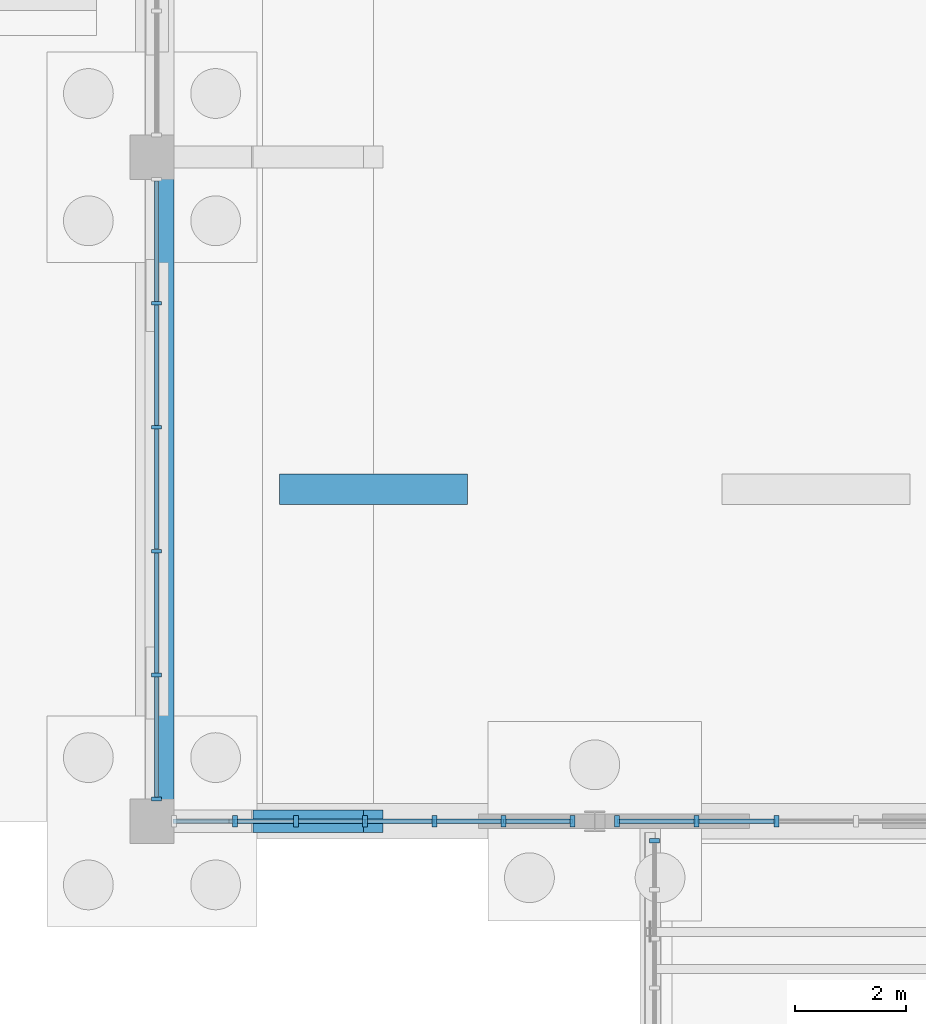
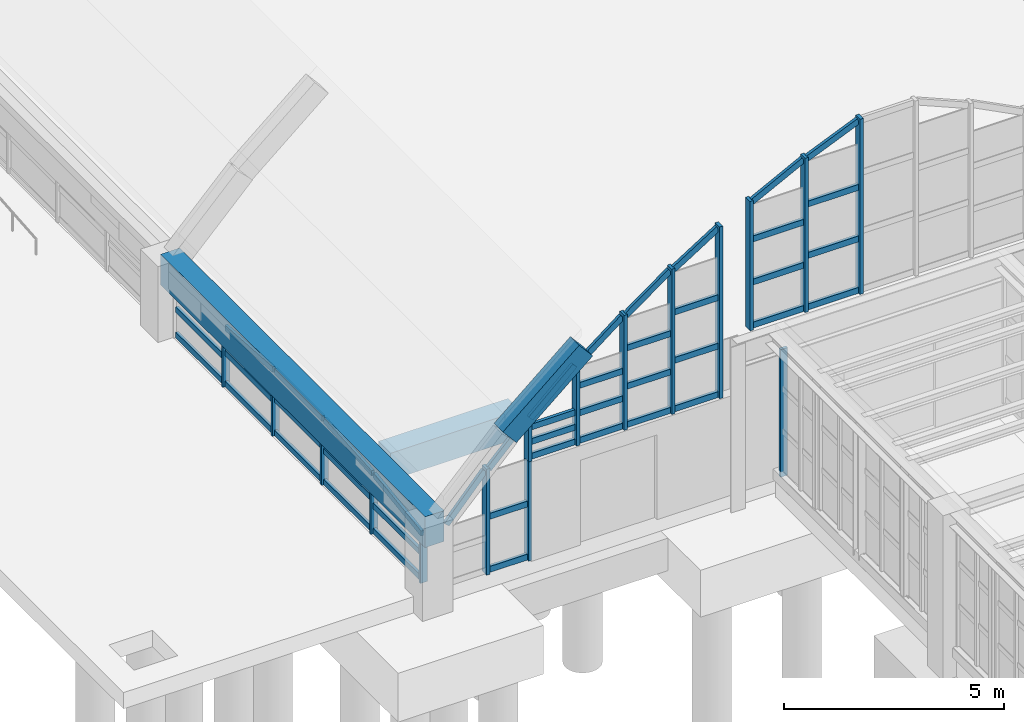
# One storey, part 34 of 129: 58 members, 3 beams, 5 elements without a shape of their own.
"""IFC4 building model written with IfcOpenShell, lengths in metres."""

from ifc_helpers import new_model, si_unit, direction, frame, origin, origin_2d, place, context, subcontext, project, spatial, rectangle, extrude, material, layer, layer_set, material_profile, profile_set, type_object, element, aggregate, save


model = new_model("IFC4")

# Units and contexts
model_context = context("Model", 3, precision=1e-05, world=origin(), true_north=direction((0.0, 1.0)))
body_context = subcontext(model_context, "Body", "Model", "MODEL_VIEW")
ifc_project = project(units=[si_unit("LENGTHUNIT", "METRE"), si_unit("AREAUNIT", "SQUARE_METRE"), si_unit("VOLUMEUNIT", "CUBIC_METRE"), si_unit("PLANEANGLEUNIT", "RADIAN"), si_unit("MASSUNIT", "GRAM", prefix="KILO")], contexts=[model_context])

# Site, building, storey
site_placement = place(None, origin())
site = spatial("IfcSite", under=ifc_project, at=site_placement, CompositionType="ELEMENT")
building_placement = place(site_placement, origin())
building = spatial("IfcBuilding", under=site, at=building_placement, Name="Sitalva Quay Ferry Terminal", CompositionType="ELEMENT")
storey_placement = place(building_placement, origin())
storey = spatial("IfcBuildingStorey", under=building, at=storey_placement, Name="L01", CompositionType="ELEMENT", Elevation=0.0)

# Beams
ifc_material_1 = material(Name="Concrete C40/50", Category="concrete")
ifc_material_profile_1 = material_profile(ifc_material_1, rectangle(XDim=0.39990234375, YDim=0.550048828125, at=origin_2d()), Name="RC400x550")
ifc_profile_set_1 = profile_set([ifc_material_profile_1], Name="Concrete C40/50")
beam_type_1 = type_object("IfcBeamType", Name="Beam_Arch_RC400x550", PredefinedType="BEAM", material=ifc_profile_set_1)
beam_1_placement = place(storey_placement, frame((10.0, 6.0, 3.689697265625), z_axis=(0.761351968138, 0.0, 0.648338785368), x_axis=(0.0, 1.0, 0.0)))
element("IfcBeam", 1, at=beam_1_placement, inside=storey, type_object=beam_type_1, Name="Vault V2 transverse arch rib 1.2", PredefinedType="BEAM", context=body_context, shape_type="SweptSolid", body=[
    extrude(rectangle(XDim=0.39990234375, YDim=0.550048828125, at=origin_2d()), origin(), (0.0, 0.0, 1.0), 2.626953125),
])
ifc_material_2 = material(Name="Concrete C40/50", Category="concrete")
ifc_material_profile_2 = material_profile(ifc_material_2, rectangle(XDim=0.5, YDim=0.85009765625, at=origin_2d()), Name="RC500x850")
ifc_profile_set_2 = profile_set([ifc_material_profile_2], Name="Concrete C40/50")
beam_type_2 = type_object("IfcBeamType", Name="Beam_Edge_RC500x850", PredefinedType="BEAM", material=ifc_profile_set_2)
beam_2_placement = place(storey_placement, frame((8.14990234375, 6.0, 1.675048828125), z_axis=(0.0, 1.0, 0.0), x_axis=(-1.0, 0.0, 0.0)))
element("IfcBeam", 2, at=beam_2_placement, inside=storey, type_object=beam_type_2, Name="Vault V2 longitudinal springing edge beam W bay 1", PredefinedType="BEAM", context=body_context, shape_type="SweptSolid", body=[
    extrude(rectangle(XDim=0.5, YDim=0.85009765625, at=origin_2d()), origin(), (0.0, 0.0, 1.0), 12.0),
])

# Curtain wall, members
ifc_material_3 = material(Name="Anodised Aluminium & Low-E Glazing", Category="aluminium")
ifc_layer_1 = layer(ifc_material_3, 0.159912109375)
ifc_layer_set_1 = layer_set([ifc_layer_1], Name="Anodised Aluminium & Low-E Glazing")
curtain_wall_type_1 = type_object("IfcCurtainWallType", Name="CW_VaultArch_Glazed", PredefinedType="USERDEFINED", material=ifc_layer_set_1)
curtain_wall_1_placement = place(storey_placement, origin())
curtain_wall_1 = element("IfcCurtainWall", 3, at=curtain_wall_1_placement, inside=storey, type_object=curtain_wall_type_1, Name="V2-W shallow-arch base glazing (CW-L01-012)", ObjectType="CURTAIN_WALL", PredefinedType="USERDEFINED")
ifc_material_4 = material(Name="Anodised Aluminium 6063-T6", Category="aluminium")
ifc_material_profile_3 = material_profile(ifc_material_4, rectangle(XDim=0.070068359375, YDim=0.181884765625, at=origin_2d()), Name="ALU70x182")
ifc_profile_set_3 = profile_set([ifc_material_profile_3], Name="Anodised Aluminium 6063-T6")
member_type_1 = type_object("IfcMemberType", Name="Mullion_Alu_65x170", PredefinedType="MULLION", material=ifc_profile_set_3)
member_1_placement = place(storey_placement, frame((8.080078125, 6.39990234375, 0.0), z_axis=(0.0, 0.0, 1.0), x_axis=(0.0, 1.0, 0.0)))
member_1 = element("IfcMember", 4, at=member_1_placement, type_object=member_type_1, Name="CW-L01-012-M0", PredefinedType="MULLION", context=body_context, shape_type="SweptSolid", body=[
    extrude(rectangle(XDim=0.070068359375, YDim=0.181884765625, at=origin_2d()), origin(), (0.0, 0.0, 1.0), 1.39990234375),
])
member_2_placement = place(storey_placement, frame((8.080078125, 8.639892578125, 0.0), z_axis=(0.0, 0.0, 1.0), x_axis=(0.0, 1.0, 0.0)))
member_2 = element("IfcMember", 5, at=member_2_placement, type_object=member_type_1, Name="CW-L01-012-M1", PredefinedType="MULLION", context=body_context, shape_type="SweptSolid", body=[
    extrude(rectangle(XDim=0.070068359375, YDim=0.181884765625, at=origin_2d()), origin(), (0.0, 0.0, 1.0), 1.707275390625),
])
member_3_placement = place(storey_placement, frame((8.080078125, 10.8798828125, 0.0), z_axis=(0.0, 0.0, 1.0), x_axis=(0.0, 1.0, 0.0)))
member_3 = element("IfcMember", 6, at=member_3_placement, type_object=member_type_1, Name="CW-L01-012-M2", PredefinedType="MULLION", context=body_context, shape_type="SweptSolid", body=[
    extrude(rectangle(XDim=0.070068359375, YDim=0.181884765625, at=origin_2d()), origin(), (0.0, 0.0, 1.0), 1.86083984375),
])
member_4_placement = place(storey_placement, frame((8.080078125, 13.1201171875, 0.0), z_axis=(0.0, 0.0, 1.0), x_axis=(0.0, 1.0, 0.0)))
member_4 = element("IfcMember", 7, at=member_4_placement, type_object=member_type_1, Name="CW-L01-012-M3", PredefinedType="MULLION", context=body_context, shape_type="SweptSolid", body=[
    extrude(rectangle(XDim=0.070068359375, YDim=0.181884765625, at=origin_2d()), origin(), (0.0, 0.0, 1.0), 1.86083984375),
])
member_5_placement = place(storey_placement, frame((8.080078125, 15.360107421875, 0.0), z_axis=(0.0, 0.0, 1.0), x_axis=(0.0, 1.0, 0.0)))
member_5 = element("IfcMember", 8, at=member_5_placement, type_object=member_type_1, Name="CW-L01-012-M4", PredefinedType="MULLION", context=body_context, shape_type="SweptSolid", body=[
    extrude(rectangle(XDim=0.070068359375, YDim=0.181884765625, at=origin_2d()), origin(), (0.0, 0.0, 1.0), 1.707275390625),
])

# Curtain wall, member
ifc_material_5 = material(Name="Anodised Aluminium & Low-E Glazing", Category="aluminium")
ifc_layer_2 = layer(ifc_material_5, 0.159912109375)
ifc_layer_set_2 = layer_set([ifc_layer_2], Name="Anodised Aluminium & Low-E Glazing")
curtain_wall_type_2 = type_object("IfcCurtainWallType", Name="CW_Bridge_Glazed", PredefinedType="USERDEFINED", material=ifc_layer_set_2)
curtain_wall_2_placement = place(storey_placement, origin())
curtain_wall_2 = element("IfcCurtainWall", 9, at=curtain_wall_2_placement, inside=storey, type_object=curtain_wall_type_2, Name="Boarding bridge BB1 W4 side glazing (CW-L01-036)", ObjectType="CURTAIN_WALL", PredefinedType="USERDEFINED")
ifc_material_6 = material(Name="Anodised Aluminium 6063-T6", Category="aluminium")
ifc_material_profile_4 = material_profile(ifc_material_6, rectangle(XDim=0.080078125, YDim=0.18505859375, at=origin_2d()), Name="ALU80x185")
ifc_profile_set_4 = profile_set([ifc_material_profile_4], Name="Anodised Aluminium 6063-T6")
member_type_2 = type_object("IfcMemberType", Name="Mullion_Alu_80x185", PredefinedType="MULLION", material=ifc_profile_set_4)
member_6_placement = place(storey_placement, frame((17.080078125, 5.64990234375, 0.25), z_axis=(0.0, 0.0, 1.0), x_axis=(0.0, 1.0, 0.0)))
member_6 = element("IfcMember", 10, at=member_6_placement, type_object=member_type_2, Name="CW-L01-036-M4", PredefinedType="MULLION", context=body_context, shape_type="SweptSolid", body=[
    extrude(rectangle(XDim=0.080078125, YDim=0.18505859375, at=origin_2d()), origin(), (0.0, 0.0, 1.0), 3.530029296875),
])
aggregate(curtain_wall_2, [member_6])

# Curtain wall, members
ifc_material_7 = material(Name="Anodised Aluminium & Low-E Glazing", Category="aluminium")
ifc_layer_3 = layer(ifc_material_7, 0.159912109375)
ifc_layer_set_3 = layer_set([ifc_layer_3], Name="Anodised Aluminium & Low-E Glazing")
curtain_wall_type_3 = type_object("IfcCurtainWallType", Name="CW_Gable_Unitised", PredefinedType="USERDEFINED", material=ifc_layer_set_3)
curtain_wall_3_placement = place(storey_placement, origin())
curtain_wall_3 = element("IfcCurtainWall", 11, at=curtain_wall_3_placement, inside=storey, type_object=curtain_wall_type_3, Name="V2 south gable west eaves glazing (CW-L01-001)", ObjectType="CURTAIN_WALL", PredefinedType="USERDEFINED")
ifc_material_8 = material(Name="Anodised Aluminium 6063-T6", Category="aluminium")
ifc_material_profile_5 = material_profile(ifc_material_8, rectangle(XDim=0.090087890625, YDim=0.199951171875, at=origin_2d()), Name="ALU90x200")
ifc_profile_set_5 = profile_set([ifc_material_profile_5], Name="Anodised Aluminium 6063-T6")
member_type_3 = type_object("IfcMemberType", Name="Mullion_Alu_90x200", PredefinedType="MULLION", material=ifc_profile_set_5)
member_7_placement = place(storey_placement, frame((9.5, 6.0, 0.0), z_axis=(0.0, 0.0, 1.0), x_axis=(1.0, 0.0, 0.0)))
member_7 = element("IfcMember", 12, at=member_7_placement, type_object=member_type_3, Name="CW-L01-001-M1", PredefinedType="MULLION", context=body_context, shape_type="SweptSolid", body=[
    extrude(rectangle(XDim=0.090087890625, YDim=0.199951171875, at=origin_2d()), origin(), (0.0, 0.0, 1.0), 2.93603515625),
])
member_8_placement = place(storey_placement, frame((10.60009765625, 6.0, 0.0), z_axis=(0.0, 0.0, 1.0), x_axis=(1.0, 0.0, 0.0)))
member_8 = element("IfcMember", 13, at=member_8_placement, type_object=member_type_3, Name="CW-L01-001-M2", PredefinedType="MULLION", context=body_context, shape_type="SweptSolid", body=[
    extrude(rectangle(XDim=0.090087890625, YDim=0.199951171875, at=origin_2d()), origin(), (0.0, 0.0, 1.0), 3.9658203125),
])

curtain_wall_4_placement = place(storey_placement, origin())
curtain_wall_4 = element("IfcCurtainWall", 14, at=curtain_wall_4_placement, inside=storey, type_object=curtain_wall_type_3, Name="V2 south gable west pointed glazing (CW-L01-002)", ObjectType="CURTAIN_WALL", PredefinedType="USERDEFINED")
member_9_placement = place(storey_placement, frame((10.60009765625, 6.0, 2.75), z_axis=(0.0, 0.0, 1.0), x_axis=(1.0, 0.0, 0.0)))
member_9 = element("IfcMember", 15, at=member_9_placement, type_object=member_type_3, Name="CW-L01-002-M0", PredefinedType="MULLION", context=body_context, shape_type="SweptSolid", body=[
    extrude(rectangle(XDim=0.090087890625, YDim=0.199951171875, at=origin_2d()), origin(), (0.0, 0.0, 1.0), 1.2158203125),
])
member_10_placement = place(storey_placement, frame((11.85009765625, 6.0, 2.75), z_axis=(0.0, 0.0, 1.0), x_axis=(1.0, 0.0, 0.0)))
member_10 = element("IfcMember", 16, at=member_10_placement, type_object=member_type_3, Name="CW-L01-002-M1", PredefinedType="MULLION", context=body_context, shape_type="SweptSolid", body=[
    extrude(rectangle(XDim=0.090087890625, YDim=0.199951171875, at=origin_2d()), origin(), (0.0, 0.0, 1.0), 2.280029296875),
])
member_11_placement = place(storey_placement, frame((13.10009765625, 6.0, 2.75), z_axis=(0.0, 0.0, 1.0), x_axis=(1.0, 0.0, 0.0)))
member_11 = element("IfcMember", 17, at=member_11_placement, type_object=member_type_3, Name="CW-L01-002-M2", PredefinedType="MULLION", context=body_context, shape_type="SweptSolid", body=[
    extrude(rectangle(XDim=0.090087890625, YDim=0.199951171875, at=origin_2d()), origin(), (0.0, 0.0, 1.0), 3.184326171875),
])
member_12_placement = place(storey_placement, frame((14.35009765625, 6.0, 2.75), z_axis=(0.0, 0.0, 1.0), x_axis=(1.0, 0.0, 0.0)))
member_12 = element("IfcMember", 18, at=member_12_placement, type_object=member_type_3, Name="CW-L01-002-M3", PredefinedType="MULLION", context=body_context, shape_type="SweptSolid", body=[
    extrude(rectangle(XDim=0.090087890625, YDim=0.199951171875, at=origin_2d()), origin(), (0.0, 0.0, 1.0), 4.024658203125),
])
member_13_placement = place(storey_placement, frame((15.60009765625, 6.0, 2.75), z_axis=(0.0, 0.0, 1.0), x_axis=(1.0, 0.0, 0.0)))
member_13 = element("IfcMember", 19, at=member_13_placement, type_object=member_type_3, Name="CW-L01-002-M4", PredefinedType="MULLION", context=body_context, shape_type="SweptSolid", body=[
    extrude(rectangle(XDim=0.090087890625, YDim=0.199951171875, at=origin_2d()), origin(), (0.0, 0.0, 1.0), 4.75634765625),
])

curtain_wall_5_placement = place(storey_placement, origin())
curtain_wall_5 = element("IfcCurtainWall", 20, at=curtain_wall_5_placement, inside=storey, type_object=curtain_wall_type_3, Name="V2 south gable apex glazing (CW-L01-003)", ObjectType="CURTAIN_WALL", PredefinedType="USERDEFINED")
member_14_placement = place(storey_placement, frame((16.39990234375, 6.0, 4.35009765625), z_axis=(0.0, 0.0, 1.0), x_axis=(1.0, 0.0, 0.0)))
member_14 = element("IfcMember", 21, at=member_14_placement, type_object=member_type_3, Name="CW-L01-003-M0", PredefinedType="MULLION", context=body_context, shape_type="SweptSolid", body=[
    extrude(rectangle(XDim=0.090087890625, YDim=0.199951171875, at=origin_2d()), origin(), (0.0, 0.0, 1.0), 3.582763671875),
])
member_15_placement = place(storey_placement, frame((17.840087890625, 6.0, 4.35009765625), z_axis=(0.0, 0.0, 1.0), x_axis=(1.0, 0.0, 0.0)))
member_15 = element("IfcMember", 22, at=member_15_placement, type_object=member_type_3, Name="CW-L01-003-M1", PredefinedType="MULLION", context=body_context, shape_type="SweptSolid", body=[
    extrude(rectangle(XDim=0.090087890625, YDim=0.199951171875, at=origin_2d()), origin(), (0.0, 0.0, 1.0), 4.27587890625),
])
member_16_placement = place(storey_placement, frame((19.280029296875, 6.0, 4.35009765625), z_axis=(0.0, 0.0, 1.0), x_axis=(1.0, 0.0, 0.0)))
member_16 = element("IfcMember", 23, at=member_16_placement, type_object=member_type_3, Name="CW-L01-003-M2", PredefinedType="MULLION", context=body_context, shape_type="SweptSolid", body=[
    extrude(rectangle(XDim=0.090087890625, YDim=0.199951171875, at=origin_2d()), origin(), (0.0, 0.0, 1.0), 4.85009765625),
])

# Beam
ifc_material_9 = material(Name="Concrete C35/45", Category="concrete")
ifc_material_profile_6 = material_profile(ifc_material_9, rectangle(XDim=0.550048828125, YDim=0.75, at=origin_2d()), Name="RC550x750")
ifc_profile_set_6 = profile_set([ifc_material_profile_6], Name="Concrete C35/45")
beam_type_3 = type_object("IfcBeamType", Name="TBeam_Quay_RC550x750", PredefinedType="T_BEAM", material=ifc_profile_set_6)
beam_3_placement = place(storey_placement, frame((10.300048828125, 12.0, -0.824951171875), z_axis=(1.0, 0.0, 0.0), x_axis=(0.0, 1.0, 0.0)))
element("IfcBeam", 24, at=beam_3_placement, inside=storey, type_object=beam_type_3, Name="L01 Quay deck mid-bay T-beam 0035", PredefinedType="T_BEAM", context=body_context, shape_type="SweptSolid", body=[
    extrude(rectangle(XDim=0.550048828125, YDim=0.75, at=origin_2d()), origin(), (0.0, 0.0, 1.0), 3.39990234375),
])

# Member
ifc_material_10 = material(Name="Anodised Aluminium 6063-T6", Category="aluminium")
ifc_material_profile_7 = material_profile(ifc_material_10, rectangle(XDim=0.074951171875, YDim=0.155029296875, at=origin_2d()), Name="ALU75x155")
ifc_profile_set_7 = profile_set([ifc_material_profile_7], Name="Anodised Aluminium 6063-T6")
member_type_4 = type_object("IfcMemberType", Name="Transom_Alu_70x135", PredefinedType="MULLION", material=ifc_profile_set_7)
member_17_placement = place(storey_placement, frame((8.080078125, 6.43505859375, 0.077392578125), z_axis=(0.0, 1.0, 0.0), x_axis=(-1.0, 0.0, 0.0)))
member_17 = element("IfcMember", 25, at=member_17_placement, type_object=member_type_4, Name="CW-L01-012-T0-0", ObjectType="TRANSOM", PredefinedType="USERDEFINED", context=body_context, shape_type="SweptSolid", body=[
    extrude(rectangle(XDim=0.074951171875, YDim=0.155029296875, at=origin_2d()), origin(), (0.0, 0.0, 1.0), 2.169921875),
])

member_18_placement = place(storey_placement, frame((8.080078125, 6.43505859375, 0.777587890625), z_axis=(0.0, 1.0, 0.0), x_axis=(-1.0, 0.0, 0.0)))
member_18 = element("IfcMember", 26, at=member_18_placement, type_object=member_type_4, Name="CW-L01-012-T0-1", ObjectType="TRANSOM", PredefinedType="USERDEFINED", context=body_context, shape_type="SweptSolid", body=[
    extrude(rectangle(XDim=0.074951171875, YDim=0.155029296875, at=origin_2d()), origin(), (0.0, 0.0, 1.0), 2.169921875),
])

member_19_placement = place(storey_placement, frame((8.080078125, 6.43505859375, 1.322509765625), z_axis=(0.0, 0.990131365095, 0.140142355681), x_axis=(-1.0, 0.0, 0.0)))
member_19 = element("IfcMember", 27, at=member_19_placement, type_object=member_type_4, Name="CW-L01-012-T0-2", ObjectType="TRANSOM", PredefinedType="USERDEFINED", context=body_context, shape_type="SweptSolid", body=[
    extrude(rectangle(XDim=0.074951171875, YDim=0.155029296875, at=origin_2d()), origin(), (0.0, 0.0, 1.0), 2.191650390625),
])

member_20_placement = place(storey_placement, frame((8.080078125, 8.675048828125, 0.077392578125), z_axis=(0.0, 1.0, 0.0), x_axis=(-1.0, 0.0, 0.0)))
member_20 = element("IfcMember", 28, at=member_20_placement, type_object=member_type_4, Name="CW-L01-012-T1-0", ObjectType="TRANSOM", PredefinedType="USERDEFINED", context=body_context, shape_type="SweptSolid", body=[
    extrude(rectangle(XDim=0.074951171875, YDim=0.155029296875, at=origin_2d()), origin(), (0.0, 0.0, 1.0), 2.169921875),
])

member_21_placement = place(storey_placement, frame((8.080078125, 8.675048828125, 0.93115234375), z_axis=(0.0, 1.0, 0.0), x_axis=(-1.0, 0.0, 0.0)))
member_21 = element("IfcMember", 29, at=member_21_placement, type_object=member_type_4, Name="CW-L01-012-T1-1", ObjectType="TRANSOM", PredefinedType="USERDEFINED", context=body_context, shape_type="SweptSolid", body=[
    extrude(rectangle(XDim=0.074951171875, YDim=0.155029296875, at=origin_2d()), origin(), (0.0, 0.0, 1.0), 2.169921875),
])

member_22_placement = place(storey_placement, frame((8.080078125, 8.675048828125, 1.629638671875), z_axis=(0.0, 0.997505200677, 0.070593021065), x_axis=(-1.0, 0.0, 0.0)))
member_22 = element("IfcMember", 30, at=member_22_placement, type_object=member_type_4, Name="CW-L01-012-T1-2", ObjectType="TRANSOM", PredefinedType="USERDEFINED", context=body_context, shape_type="SweptSolid", body=[
    extrude(rectangle(XDim=0.074951171875, YDim=0.155029296875, at=origin_2d()), origin(), (0.0, 0.0, 1.0), 2.17529296875),
])

member_23_placement = place(storey_placement, frame((8.080078125, 10.9150390625, 0.077392578125), z_axis=(0.0, 1.0, 0.0), x_axis=(-1.0, 0.0, 0.0)))
member_23 = element("IfcMember", 31, at=member_23_placement, type_object=member_type_4, Name="CW-L01-012-T2-0", ObjectType="TRANSOM", PredefinedType="USERDEFINED", context=body_context, shape_type="SweptSolid", body=[
    extrude(rectangle(XDim=0.074951171875, YDim=0.155029296875, at=origin_2d()), origin(), (0.0, 0.0, 1.0), 2.169921875),
])

member_24_placement = place(storey_placement, frame((8.080078125, 10.9150390625, 1.0078125), z_axis=(0.0, 1.0, 0.0), x_axis=(-1.0, 0.0, 0.0)))
member_24 = element("IfcMember", 32, at=member_24_placement, type_object=member_type_4, Name="CW-L01-012-T2-1", ObjectType="TRANSOM", PredefinedType="USERDEFINED", context=body_context, shape_type="SweptSolid", body=[
    extrude(rectangle(XDim=0.074951171875, YDim=0.155029296875, at=origin_2d()), origin(), (0.0, 0.0, 1.0), 2.169921875),
])

member_25_placement = place(storey_placement, frame((8.080078125, 10.9150390625, 1.783203125), z_axis=(0.0, 1.0, 0.0), x_axis=(-1.0, 0.0, 0.0)))
member_25 = element("IfcMember", 33, at=member_25_placement, type_object=member_type_4, Name="CW-L01-012-T2-2", ObjectType="TRANSOM", PredefinedType="USERDEFINED", context=body_context, shape_type="SweptSolid", body=[
    extrude(rectangle(XDim=0.074951171875, YDim=0.155029296875, at=origin_2d()), origin(), (0.0, 0.0, 1.0), 2.169921875),
])

member_26_placement = place(storey_placement, frame((8.080078125, 13.155029296875, 0.077392578125), z_axis=(0.0, 1.0, 0.0), x_axis=(-1.0, 0.0, 0.0)))
member_26 = element("IfcMember", 34, at=member_26_placement, type_object=member_type_4, Name="CW-L01-012-T3-0", ObjectType="TRANSOM", PredefinedType="USERDEFINED", context=body_context, shape_type="SweptSolid", body=[
    extrude(rectangle(XDim=0.074951171875, YDim=0.155029296875, at=origin_2d()), origin(), (0.0, 0.0, 1.0), 2.169921875),
])

member_27_placement = place(storey_placement, frame((8.080078125, 13.155029296875, 0.93115234375), z_axis=(0.0, 1.0, 0.0), x_axis=(-1.0, 0.0, 0.0)))
member_27 = element("IfcMember", 35, at=member_27_placement, type_object=member_type_4, Name="CW-L01-012-T3-1", ObjectType="TRANSOM", PredefinedType="USERDEFINED", context=body_context, shape_type="SweptSolid", body=[
    extrude(rectangle(XDim=0.074951171875, YDim=0.155029296875, at=origin_2d()), origin(), (0.0, 0.0, 1.0), 2.169921875),
])

member_28_placement = place(storey_placement, frame((8.080078125, 13.155029296875, 1.783203125), z_axis=(0.0, 0.997505200677, -0.070593021065), x_axis=(-1.0, 0.0, 0.0)))
member_28 = element("IfcMember", 36, at=member_28_placement, type_object=member_type_4, Name="CW-L01-012-T3-2", ObjectType="TRANSOM", PredefinedType="USERDEFINED", context=body_context, shape_type="SweptSolid", body=[
    extrude(rectangle(XDim=0.074951171875, YDim=0.155029296875, at=origin_2d()), origin(), (0.0, 0.0, 1.0), 2.17529296875),
])

member_29_placement = place(storey_placement, frame((8.080078125, 15.39501953125, 0.077392578125), z_axis=(0.0, 1.0, 0.0), x_axis=(-1.0, 0.0, 0.0)))
member_29 = element("IfcMember", 37, at=member_29_placement, type_object=member_type_4, Name="CW-L01-012-T4-0", ObjectType="TRANSOM", PredefinedType="USERDEFINED", context=body_context, shape_type="SweptSolid", body=[
    extrude(rectangle(XDim=0.074951171875, YDim=0.155029296875, at=origin_2d()), origin(), (0.0, 0.0, 1.0), 2.169921875),
])

member_30_placement = place(storey_placement, frame((8.080078125, 15.39501953125, 0.777587890625), z_axis=(0.0, 1.0, 0.0), x_axis=(-1.0, 0.0, 0.0)))
member_30 = element("IfcMember", 38, at=member_30_placement, type_object=member_type_4, Name="CW-L01-012-T4-1", ObjectType="TRANSOM", PredefinedType="USERDEFINED", context=body_context, shape_type="SweptSolid", body=[
    extrude(rectangle(XDim=0.074951171875, YDim=0.155029296875, at=origin_2d()), origin(), (0.0, 0.0, 1.0), 2.169921875),
])

aggregate(curtain_wall_1, [member_1, member_2, member_3, member_4, member_5, member_17, member_18, member_19, member_20, member_21, member_22, member_23, member_24, member_25, member_26, member_27, member_28, member_29, member_30])

ifc_material_11 = material(Name="Anodised Aluminium 6063-T6", Category="aluminium")
ifc_material_profile_8 = material_profile(ifc_material_11, rectangle(XDim=0.080078125, YDim=0.1650390625, at=origin_2d()), Name="ALU80x165")
ifc_profile_set_8 = profile_set([ifc_material_profile_8], Name="Anodised Aluminium 6063-T6")
member_type_5 = type_object("IfcMemberType", Name="Transom_Alu_80x165", PredefinedType="MULLION", material=ifc_profile_set_8)
member_31_placement = place(storey_placement, frame((8.445068359375, 6.0, 1.71240234375), z_axis=(0.662701757845, 0.0, 0.748883422269), x_axis=(0.0, 1.0, 0.0)))
member_31 = element("IfcMember", 39, at=member_31_placement, type_object=member_type_5, Name="CW-L01-001-T0-2", ObjectType="TRANSOM", PredefinedType="USERDEFINED", context=body_context, shape_type="SweptSolid", body=[
    extrude(rectangle(XDim=0.080078125, YDim=0.1650390625, at=origin_2d()), origin(), (0.0, 0.0, 1.0), 1.524169921875),
])

member_32_placement = place(storey_placement, frame((9.544921875, 6.0, 0.08251953125), z_axis=(1.0, 0.0, 0.0), x_axis=(0.0, 1.0, 0.0)))
member_32 = element("IfcMember", 40, at=member_32_placement, type_object=member_type_5, Name="CW-L01-001-T1-0", ObjectType="TRANSOM", PredefinedType="USERDEFINED", context=body_context, shape_type="SweptSolid", body=[
    extrude(rectangle(XDim=0.080078125, YDim=0.1650390625, at=origin_2d()), origin(), (0.0, 0.0, 1.0), 1.010009765625),
])

member_33_placement = place(storey_placement, frame((9.544921875, 6.0, 1.550537109375), z_axis=(1.0, 0.0, 0.0), x_axis=(0.0, 1.0, 0.0)))
member_33 = element("IfcMember", 41, at=member_33_placement, type_object=member_type_5, Name="CW-L01-001-T1-1", ObjectType="TRANSOM", PredefinedType="USERDEFINED", context=body_context, shape_type="SweptSolid", body=[
    extrude(rectangle(XDim=0.080078125, YDim=0.1650390625, at=origin_2d()), origin(), (0.0, 0.0, 1.0), 1.010009765625),
])

member_34_placement = place(storey_placement, frame((9.544921875, 6.0, 2.853759765625), z_axis=(0.700303239467, 0.0, 0.713845482435), x_axis=(0.0, 1.0, 0.0)))
member_34 = element("IfcMember", 42, at=member_34_placement, type_object=member_type_5, Name="CW-L01-001-T1-2", ObjectType="TRANSOM", PredefinedType="USERDEFINED", context=body_context, shape_type="SweptSolid", body=[
    extrude(rectangle(XDim=0.080078125, YDim=0.1650390625, at=origin_2d()), origin(), (0.0, 0.0, 1.0), 1.442138671875),
])

aggregate(curtain_wall_3, [member_7, member_8, member_31, member_32, member_33, member_34])

member_35_placement = place(storey_placement, frame((10.64501953125, 6.0, 2.83251953125), z_axis=(1.0, 0.0, 0.0), x_axis=(0.0, 1.0, 0.0)))
member_35 = element("IfcMember", 43, at=member_35_placement, type_object=member_type_5, Name="CW-L01-002-T0-0", ObjectType="TRANSOM", PredefinedType="USERDEFINED", context=body_context, shape_type="SweptSolid", body=[
    extrude(rectangle(XDim=0.080078125, YDim=0.1650390625, at=origin_2d()), origin(), (0.0, 0.0, 1.0), 1.159912109375),
])

member_36_placement = place(storey_placement, frame((10.64501953125, 6.0, 3.23779296875), z_axis=(1.0, 0.0, 0.0), x_axis=(0.0, 1.0, 0.0)))
member_36 = element("IfcMember", 44, at=member_36_placement, type_object=member_type_5, Name="CW-L01-002-T0-1", ObjectType="TRANSOM", PredefinedType="USERDEFINED", context=body_context, shape_type="SweptSolid", body=[
    extrude(rectangle(XDim=0.080078125, YDim=0.1650390625, at=origin_2d()), origin(), (0.0, 0.0, 1.0), 1.159912109375),
])

member_37_placement = place(storey_placement, frame((10.64501953125, 6.0, 3.64306640625), z_axis=(1.0, 0.0, 0.0), x_axis=(0.0, 1.0, 0.0)))
member_37 = element("IfcMember", 45, at=member_37_placement, type_object=member_type_5, Name="CW-L01-002-T0-2", ObjectType="TRANSOM", PredefinedType="USERDEFINED", context=body_context, shape_type="SweptSolid", body=[
    extrude(rectangle(XDim=0.080078125, YDim=0.1650390625, at=origin_2d()), origin(), (0.0, 0.0, 1.0), 1.159912109375),
])

member_38_placement = place(storey_placement, frame((10.64501953125, 6.0, 3.88330078125), z_axis=(0.736851486726, 0.0, 0.676054647577), x_axis=(0.0, 1.0, 0.0)))
member_38 = element("IfcMember", 46, at=member_38_placement, type_object=member_type_5, Name="CW-L01-002-T0-3", ObjectType="TRANSOM", PredefinedType="USERDEFINED", context=body_context, shape_type="SweptSolid", body=[
    extrude(rectangle(XDim=0.080078125, YDim=0.1650390625, at=origin_2d()), origin(), (0.0, 0.0, 1.0), 1.57421875),
])

member_39_placement = place(storey_placement, frame((11.89501953125, 6.0, 2.83251953125), z_axis=(1.0, 0.0, 0.0), x_axis=(0.0, 1.0, 0.0)))
member_39 = element("IfcMember", 47, at=member_39_placement, type_object=member_type_5, Name="CW-L01-002-T1-0", ObjectType="TRANSOM", PredefinedType="USERDEFINED", context=body_context, shape_type="SweptSolid", body=[
    extrude(rectangle(XDim=0.080078125, YDim=0.1650390625, at=origin_2d()), origin(), (0.0, 0.0, 1.0), 1.159912109375),
])

member_40_placement = place(storey_placement, frame((11.89501953125, 6.0, 3.592529296875), z_axis=(1.0, 0.0, 0.0), x_axis=(0.0, 1.0, 0.0)))
member_40 = element("IfcMember", 48, at=member_40_placement, type_object=member_type_5, Name="CW-L01-002-T1-1", ObjectType="TRANSOM", PredefinedType="USERDEFINED", context=body_context, shape_type="SweptSolid", body=[
    extrude(rectangle(XDim=0.080078125, YDim=0.1650390625, at=origin_2d()), origin(), (0.0, 0.0, 1.0), 1.159912109375),
])

member_41_placement = place(storey_placement, frame((11.89501953125, 6.0, 4.3525390625), z_axis=(1.0, 0.0, 0.0), x_axis=(0.0, 1.0, 0.0)))
member_41 = element("IfcMember", 49, at=member_41_placement, type_object=member_type_5, Name="CW-L01-002-T1-2", ObjectType="TRANSOM", PredefinedType="USERDEFINED", context=body_context, shape_type="SweptSolid", body=[
    extrude(rectangle(XDim=0.080078125, YDim=0.1650390625, at=origin_2d()), origin(), (0.0, 0.0, 1.0), 1.159912109375),
])

member_42_placement = place(storey_placement, frame((11.89501953125, 6.0, 4.947509765625), z_axis=(0.788645575112, 0.0, 0.61484807624), x_axis=(0.0, 1.0, 0.0)))
member_42 = element("IfcMember", 50, at=member_42_placement, type_object=member_type_5, Name="CW-L01-002-T1-3", ObjectType="TRANSOM", PredefinedType="USERDEFINED", context=body_context, shape_type="SweptSolid", body=[
    extrude(rectangle(XDim=0.080078125, YDim=0.1650390625, at=origin_2d()), origin(), (0.0, 0.0, 1.0), 1.470703125),
])

member_43_placement = place(storey_placement, frame((13.14501953125, 6.0, 2.83251953125), z_axis=(1.0, 0.0, 0.0), x_axis=(0.0, 1.0, 0.0)))
member_43 = element("IfcMember", 51, at=member_43_placement, type_object=member_type_5, Name="CW-L01-002-T2-0", ObjectType="TRANSOM", PredefinedType="USERDEFINED", context=body_context, shape_type="SweptSolid", body=[
    extrude(rectangle(XDim=0.080078125, YDim=0.1650390625, at=origin_2d()), origin(), (0.0, 0.0, 1.0), 1.159912109375),
])

member_44_placement = place(storey_placement, frame((13.14501953125, 6.0, 3.89404296875), z_axis=(1.0, 0.0, 0.0), x_axis=(0.0, 1.0, 0.0)))
member_44 = element("IfcMember", 52, at=member_44_placement, type_object=member_type_5, Name="CW-L01-002-T2-1", ObjectType="TRANSOM", PredefinedType="USERDEFINED", context=body_context, shape_type="SweptSolid", body=[
    extrude(rectangle(XDim=0.080078125, YDim=0.1650390625, at=origin_2d()), origin(), (0.0, 0.0, 1.0), 1.159912109375),
])

member_45_placement = place(storey_placement, frame((13.14501953125, 6.0, 4.955322265625), z_axis=(1.0, 0.0, 0.0), x_axis=(0.0, 1.0, 0.0)))
member_45 = element("IfcMember", 53, at=member_45_placement, type_object=member_type_5, Name="CW-L01-002-T2-2", ObjectType="TRANSOM", PredefinedType="USERDEFINED", context=body_context, shape_type="SweptSolid", body=[
    extrude(rectangle(XDim=0.080078125, YDim=0.1650390625, at=origin_2d()), origin(), (0.0, 0.0, 1.0), 1.159912109375),
])

member_46_placement = place(storey_placement, frame((13.14501953125, 6.0, 5.851806640625), z_axis=(0.80981087291, 0.0, 0.586691017587), x_axis=(0.0, 1.0, 0.0)))
member_46 = element("IfcMember", 54, at=member_46_placement, type_object=member_type_5, Name="CW-L01-002-T2-3", ObjectType="TRANSOM", PredefinedType="USERDEFINED", context=body_context, shape_type="SweptSolid", body=[
    extrude(rectangle(XDim=0.080078125, YDim=0.1650390625, at=origin_2d()), origin(), (0.0, 0.0, 1.0), 1.432373046875),
])

member_47_placement = place(storey_placement, frame((14.39501953125, 6.0, 2.83251953125), z_axis=(1.0, 0.0, 0.0), x_axis=(0.0, 1.0, 0.0)))
member_47 = element("IfcMember", 55, at=member_47_placement, type_object=member_type_5, Name="CW-L01-002-T3-0", ObjectType="TRANSOM", PredefinedType="USERDEFINED", context=body_context, shape_type="SweptSolid", body=[
    extrude(rectangle(XDim=0.080078125, YDim=0.1650390625, at=origin_2d()), origin(), (0.0, 0.0, 1.0), 1.159912109375),
])

member_48_placement = place(storey_placement, frame((14.39501953125, 6.0, 4.174072265625), z_axis=(1.0, 0.0, 0.0), x_axis=(0.0, 1.0, 0.0)))
member_48 = element("IfcMember", 56, at=member_48_placement, type_object=member_type_5, Name="CW-L01-002-T3-1", ObjectType="TRANSOM", PredefinedType="USERDEFINED", context=body_context, shape_type="SweptSolid", body=[
    extrude(rectangle(XDim=0.080078125, YDim=0.1650390625, at=origin_2d()), origin(), (0.0, 0.0, 1.0), 1.159912109375),
])

member_49_placement = place(storey_placement, frame((14.39501953125, 6.0, 5.515625), z_axis=(1.0, 0.0, 0.0), x_axis=(0.0, 1.0, 0.0)))
member_49 = element("IfcMember", 57, at=member_49_placement, type_object=member_type_5, Name="CW-L01-002-T3-2", ObjectType="TRANSOM", PredefinedType="USERDEFINED", context=body_context, shape_type="SweptSolid", body=[
    extrude(rectangle(XDim=0.080078125, YDim=0.1650390625, at=origin_2d()), origin(), (0.0, 0.0, 1.0), 1.159912109375),
])

member_50_placement = place(storey_placement, frame((14.39501953125, 6.0, 6.692138671875), z_axis=(0.845780661657, 0.0, 0.533530760469), x_axis=(0.0, 1.0, 0.0)))
member_50 = element("IfcMember", 58, at=member_50_placement, type_object=member_type_5, Name="CW-L01-002-T3-3", ObjectType="TRANSOM", PredefinedType="USERDEFINED", context=body_context, shape_type="SweptSolid", body=[
    extrude(rectangle(XDim=0.080078125, YDim=0.1650390625, at=origin_2d()), origin(), (0.0, 0.0, 1.0), 1.371337890625),
])

aggregate(curtain_wall_4, [member_9, member_10, member_11, member_12, member_13, member_35, member_36, member_37, member_38, member_39, member_40, member_41, member_42, member_43, member_44, member_45, member_46, member_47, member_48, member_49, member_50])

member_51_placement = place(storey_placement, frame((16.445068359375, 6.0, 4.4326171875), z_axis=(1.0, 0.0, 0.0), x_axis=(0.0, 1.0, 0.0)))
member_51 = element("IfcMember", 59, at=member_51_placement, type_object=member_type_5, Name="CW-L01-003-T0-0", ObjectType="TRANSOM", PredefinedType="USERDEFINED", context=body_context, shape_type="SweptSolid", body=[
    extrude(rectangle(XDim=0.080078125, YDim=0.1650390625, at=origin_2d()), origin(), (0.0, 0.0, 1.0), 1.349853515625),
])

member_52_placement = place(storey_placement, frame((16.445068359375, 6.0, 5.626708984375), z_axis=(1.0, 0.0, 0.0), x_axis=(0.0, 1.0, 0.0)))
member_52 = element("IfcMember", 60, at=member_52_placement, type_object=member_type_5, Name="CW-L01-003-T0-1", ObjectType="TRANSOM", PredefinedType="USERDEFINED", context=body_context, shape_type="SweptSolid", body=[
    extrude(rectangle(XDim=0.080078125, YDim=0.1650390625, at=origin_2d()), origin(), (0.0, 0.0, 1.0), 1.349853515625),
])

member_53_placement = place(storey_placement, frame((16.445068359375, 6.0, 6.821044921875), z_axis=(1.0, 0.0, 0.0), x_axis=(0.0, 1.0, 0.0)))
member_53 = element("IfcMember", 61, at=member_53_placement, type_object=member_type_5, Name="CW-L01-003-T0-2", ObjectType="TRANSOM", PredefinedType="USERDEFINED", context=body_context, shape_type="SweptSolid", body=[
    extrude(rectangle(XDim=0.080078125, YDim=0.1650390625, at=origin_2d()), origin(), (0.0, 0.0, 1.0), 1.349853515625),
])

member_54_placement = place(storey_placement, frame((16.445068359375, 6.0, 7.850341796875), z_axis=(0.889581154041, 0.0, 0.456777156144), x_axis=(0.0, 1.0, 0.0)))
member_54 = element("IfcMember", 62, at=member_54_placement, type_object=member_type_5, Name="CW-L01-003-T0-3", ObjectType="TRANSOM", PredefinedType="USERDEFINED", context=body_context, shape_type="SweptSolid", body=[
    extrude(rectangle(XDim=0.080078125, YDim=0.1650390625, at=origin_2d()), origin(), (0.0, 0.0, 1.0), 1.517333984375),
])

member_55_placement = place(storey_placement, frame((17.885009765625, 6.0, 4.4326171875), z_axis=(1.0, 0.0, 0.0), x_axis=(0.0, 1.0, 0.0)))
member_55 = element("IfcMember", 63, at=member_55_placement, type_object=member_type_5, Name="CW-L01-003-T1-0", ObjectType="TRANSOM", PredefinedType="USERDEFINED", context=body_context, shape_type="SweptSolid", body=[
    extrude(rectangle(XDim=0.080078125, YDim=0.1650390625, at=origin_2d()), origin(), (0.0, 0.0, 1.0), 1.35009765625),
])

member_56_placement = place(storey_placement, frame((17.885009765625, 6.0, 5.85791015625), z_axis=(1.0, 0.0, 0.0), x_axis=(0.0, 1.0, 0.0)))
member_56 = element("IfcMember", 64, at=member_56_placement, type_object=member_type_5, Name="CW-L01-003-T1-1", ObjectType="TRANSOM", PredefinedType="USERDEFINED", context=body_context, shape_type="SweptSolid", body=[
    extrude(rectangle(XDim=0.080078125, YDim=0.1650390625, at=origin_2d()), origin(), (0.0, 0.0, 1.0), 1.35009765625),
])

member_57_placement = place(storey_placement, frame((17.885009765625, 6.0, 7.283203125), z_axis=(1.0, 0.0, 0.0), x_axis=(0.0, 1.0, 0.0)))
member_57 = element("IfcMember", 65, at=member_57_placement, type_object=member_type_5, Name="CW-L01-003-T1-2", ObjectType="TRANSOM", PredefinedType="USERDEFINED", context=body_context, shape_type="SweptSolid", body=[
    extrude(rectangle(XDim=0.080078125, YDim=0.1650390625, at=origin_2d()), origin(), (0.0, 0.0, 1.0), 1.35009765625),
])

member_58_placement = place(storey_placement, frame((17.885009765625, 6.0, 8.54345703125), z_axis=(0.920226055692, 0.0, 0.391387284446), x_axis=(0.0, 1.0, 0.0)))
member_58 = element("IfcMember", 66, at=member_58_placement, type_object=member_type_5, Name="CW-L01-003-T1-3", ObjectType="TRANSOM", PredefinedType="USERDEFINED", context=body_context, shape_type="SweptSolid", body=[
    extrude(rectangle(XDim=0.080078125, YDim=0.1650390625, at=origin_2d()), origin(), (0.0, 0.0, 1.0), 1.467041015625),
])

aggregate(curtain_wall_5, [member_14, member_15, member_16, member_51, member_52, member_53, member_54, member_55, member_56, member_57, member_58])

save(model, "model.ifc")
